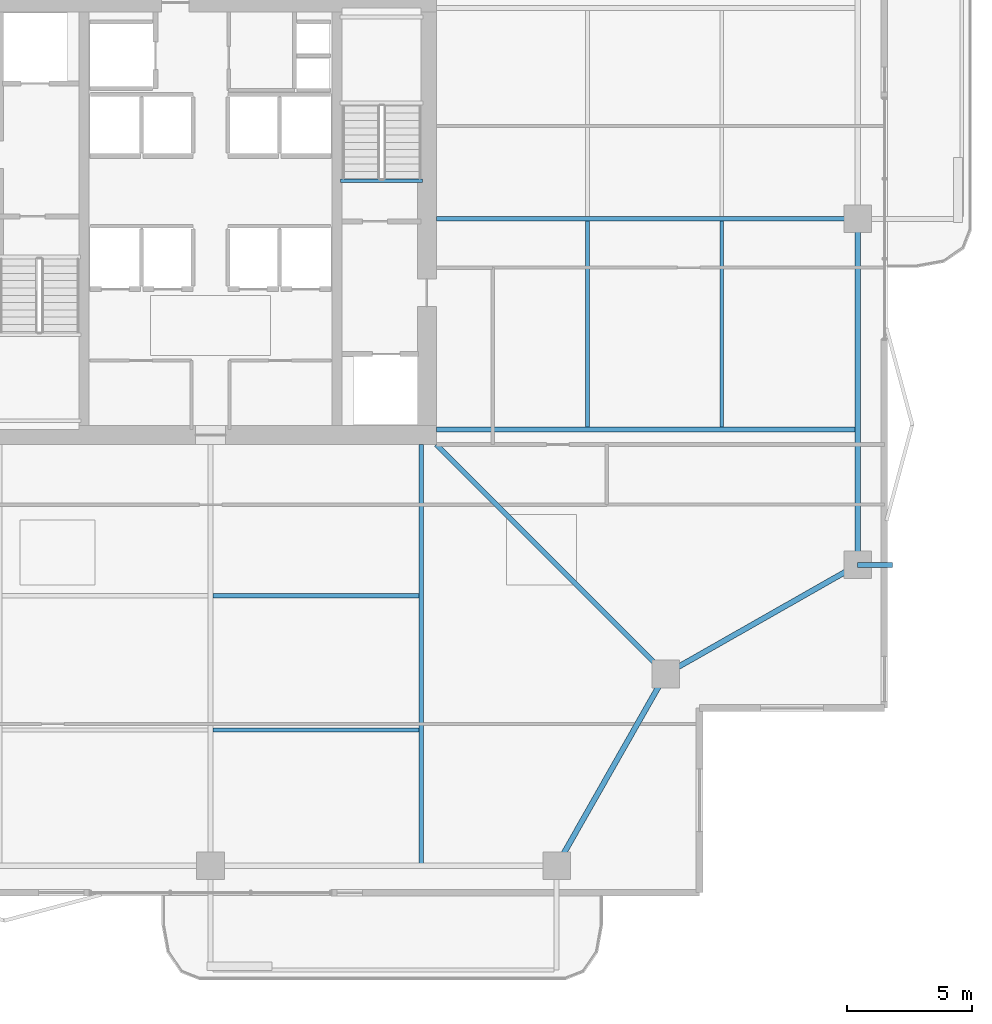
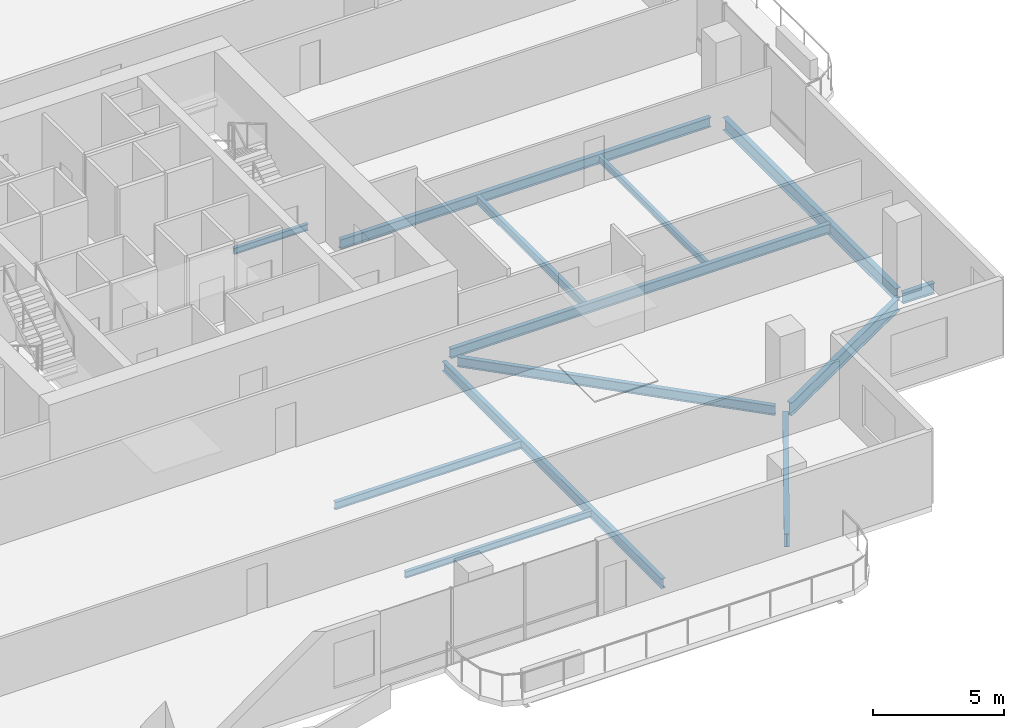
# One storey, part 7 of 24: 13 beams.
"""IFC4 building model written with IfcOpenShell, lengths in metres."""

from ifc_helpers import new_model, si_unit, direction, frame, origin, origin_2d, place, context, subcontext, project, spatial, i_section, extrude, material, material_profile, profile_set, type_object, element, save


model = new_model("IFC4")

# Units and contexts
model_context = context("Model", 3, precision=1e-05, world=origin(), true_north=direction((0.0, 1.0)))
body_context = subcontext(model_context, "Body", "Model", "MODEL_VIEW")
ifc_project = project(units=[si_unit("LENGTHUNIT", "METRE"), si_unit("AREAUNIT", "SQUARE_METRE"), si_unit("VOLUMEUNIT", "CUBIC_METRE"), si_unit("PLANEANGLEUNIT", "RADIAN"), si_unit("MASSUNIT", "GRAM", prefix="KILO")], contexts=[model_context])

# Site, building, storey
site_placement = place(None, origin())
site = spatial("IfcSite", under=ifc_project, at=site_placement, CompositionType="ELEMENT")
building_placement = place(site_placement, origin())
building = spatial("IfcBuilding", under=site, at=building_placement, Name="Belovzor Exchange Tower", CompositionType="ELEMENT")
storey_placement = place(building_placement, frame((0.0, 0.0, 237.449951171875)))
storey = spatial("IfcBuildingStorey", under=building, at=storey_placement, Name="L59", CompositionType="ELEMENT", Elevation=237.449951171875)

# Beams
ifc_material_1 = material(Name="Steel S355", Category="steel")
ifc_material_profile_1 = material_profile(ifc_material_1, i_section(OverallWidth=0.199951171875, OverallDepth=0.5, WebThickness=0.01025390625, FlangeThickness=0.01611328125, at=origin_2d()))
ifc_profile_set_1 = profile_set([ifc_material_profile_1], Name="Steel S355")
beam_type_1 = type_object("IfcBeamType", Name="Planted Balcony Cantilever Beam IPE 500", PredefinedType="BEAM", material=ifc_profile_set_1)
beam_1_placement = place(storey_placement, frame((54.60009765625, 15.0, -0.5), z_axis=(1.0, 0.0, 0.0), x_axis=(0.0, 1.0, 0.0)))
element("IfcBeam", 1, at=beam_1_placement, inside=storey, type_object=beam_type_1, Name="BC-500 Planted Balcony Cantilever Beam IPE 500", PredefinedType="BEAM", context=body_context, shape_type="SweptSolid", body=[
    extrude(i_section(OverallWidth=0.199951171875, OverallDepth=0.5, WebThickness=0.01025390625, FlangeThickness=0.01611328125, at=origin_2d()), origin(), (0.0, 0.0, 1.0), 1.39990234375),
])
ifc_material_2 = material(Name="Steel S355", Category="steel")
ifc_material_profile_2 = material_profile(ifc_material_2, i_section(OverallWidth=0.169921875, OverallDepth=0.360107421875, WebThickness=0.008056640625, FlangeThickness=0.0126953125, at=origin_2d()))
ifc_profile_set_2 = profile_set([ifc_material_profile_2], Name="Steel S355")
beam_type_2 = type_object("IfcBeamType", Name="Secondary Infill Floor Joist IPE 360", PredefinedType="BEAM", material=ifc_profile_set_2)
for number, where, z_axis, x_axis, name in (
    (2, (28.89501953125, 13.77197265625, -0.429931640625), (1.0, 0.0, 0.0), (0.0, 1.0, 0.0), "FJ-360 Secondary Infill Floor Joist IPE 360"),
    (3, (43.827880859375, 20.4951171875, -0.429931640625), (0.0, 1.0, 0.0), (-1.0, 0.0, 0.0), "FJ-360 Secondary Infill Floor Joist IPE 360"),
):
    element("IfcBeam", number, at=place(storey_placement, frame(where, z_axis=z_axis, x_axis=x_axis)), inside=storey, type_object=beam_type_2, Name=name, PredefinedType="BEAM", context=body_context, shape_type="SweptSolid", body=[
        extrude(i_section(OverallWidth=0.169921875, OverallDepth=0.360107421875, WebThickness=0.008056640625, FlangeThickness=0.0126953125, at=origin_2d()), origin(), (0.0, 0.0, 1.0), 8.2099609375),
    ])
ifc_material_3 = material(Name="Steel S355", Category="steel")
ifc_material_profile_3 = material_profile(ifc_material_3, i_section(OverallWidth=0.14990234375, OverallDepth=0.300048828125, WebThickness=0.007080078125, FlangeThickness=0.0107421875, at=origin_2d()))
ifc_profile_set_3 = profile_set([ifc_material_profile_3], Name="Steel S355")
beam_type_3 = type_object("IfcBeamType", Name="Secondary Trim Floor Joist IPE 300", PredefinedType="BEAM", material=ifc_profile_set_3)
beam_2_placement = place(storey_placement, frame((37.260009765625, 30.320068359375, -0.39990234375), z_axis=(-1.0, 0.0, 0.0), x_axis=(0.0, -1.0, 0.0)))
element("IfcBeam", 4, at=beam_2_placement, inside=storey, type_object=beam_type_3, Name="FJ-300 Secondary Trim Floor Joist IPE 300", PredefinedType="BEAM", context=body_context, shape_type="SweptSolid", body=[
    extrude(i_section(OverallWidth=0.14990234375, OverallDepth=0.300048828125, WebThickness=0.007080078125, FlangeThickness=0.0107421875, at=origin_2d()), origin(), (0.0, 0.0, 1.0), 3.27001953125),
])
for number, where, z_axis, x_axis, name in (
    (5, (28.89501953125, 8.4130859375, -0.39990234375), (1.0, 0.0, 0.0), (0.0, 1.0, 0.0), "FJ-300 Secondary Trim Floor Joist IPE 300"),
    (6, (49.18701171875, 20.4951171875, -0.39990234375), (0.0, 1.0, 0.0), (-1.0, 0.0, 0.0), "FJ-300 Secondary Trim Floor Joist IPE 300"),
):
    element("IfcBeam", number, at=place(storey_placement, frame(where, z_axis=z_axis, x_axis=x_axis)), inside=storey, type_object=beam_type_3, Name=name, PredefinedType="BEAM", context=body_context, shape_type="SweptSolid", body=[
        extrude(i_section(OverallWidth=0.14990234375, OverallDepth=0.300048828125, WebThickness=0.007080078125, FlangeThickness=0.0107421875, at=origin_2d()), origin(), (0.0, 0.0, 1.0), 8.2099609375),
    ])
ifc_material_4 = material(Name="Steel S355", Category="steel")
ifc_material_profile_4 = material_profile(ifc_material_4, i_section(OverallWidth=0.18994140625, OverallDepth=0.449951171875, WebThickness=0.009521484375, FlangeThickness=0.0146484375, at=origin_2d()))
ifc_profile_set_4 = profile_set([ifc_material_profile_4], Name="Steel S355")
beam_type_4 = type_object("IfcBeamType", Name="Zone 2-4 Radial Composite Floor Beam IPE 450", PredefinedType="BEAM", material=ifc_profile_set_4)
beam_3_placement = place(storey_placement, frame((37.199951171875, 19.800048828125, -0.474853515625), z_axis=(0.0, -1.0, 0.0), x_axis=(1.0, 0.0, 0.0)))
element("IfcBeam", 7, at=beam_3_placement, inside=storey, type_object=beam_type_4, Name="FB-450 Zone 2-4 Radial Composite Floor Beam IPE 450", PredefinedType="BEAM", context=body_context, shape_type="SweptSolid", body=[
    extrude(i_section(OverallWidth=0.18994140625, OverallDepth=0.449951171875, WebThickness=0.009521484375, FlangeThickness=0.0146484375, at=origin_2d()), origin(), (0.0, 0.0, 1.0), 16.7451171875),
])
beam_4_placement = place(storey_placement, frame((37.800048828125, 20.39990234375, -0.474853515625), z_axis=(1.0, 0.0, 0.0), x_axis=(0.0, 1.0, 0.0)))
element("IfcBeam", 8, at=beam_4_placement, inside=storey, type_object=beam_type_4, Name="FB-450 Zone 2-4 Radial Composite Floor Beam IPE 450", PredefinedType="BEAM", context=body_context, shape_type="SweptSolid", body=[
    extrude(i_section(OverallWidth=0.18994140625, OverallDepth=0.449951171875, WebThickness=0.009521484375, FlangeThickness=0.0146484375, at=origin_2d()), origin(), (0.0, 0.0, 1.0), 16.744873046875),
])
beam_5_placement = place(storey_placement, frame((37.800048828125, 28.800048828125, -0.474853515625), z_axis=(1.0, 0.0, 0.0), x_axis=(0.0, 1.0, 0.0)))
element("IfcBeam", 9, at=beam_5_placement, inside=storey, type_object=beam_type_4, Name="FB-450 Zone 2-4 Radial Composite Floor Beam IPE 450", PredefinedType="BEAM", context=body_context, shape_type="SweptSolid", body=[
    extrude(i_section(OverallWidth=0.18994140625, OverallDepth=0.449951171875, WebThickness=0.009521484375, FlangeThickness=0.0146484375, at=origin_2d()), origin(), (0.0, 0.0, 1.0), 16.31591796875),
])
beam_6_placement = place(storey_placement, frame((37.800048828125, 19.800048828125, -0.474853515625), z_axis=(0.707106781187, -0.707106781187, 0.0), x_axis=(0.707106781187, 0.707106781187, 0.0)))
element("IfcBeam", 10, at=beam_6_placement, inside=storey, type_object=beam_type_4, Name="FB-450 Zone 2-4 Radial Composite Floor Beam IPE 450", PredefinedType="BEAM", context=body_context, shape_type="SweptSolid", body=[
    extrude(i_section(OverallWidth=0.18994140625, OverallDepth=0.449951171875, WebThickness=0.009521484375, FlangeThickness=0.0146484375, at=origin_2d()), origin(), (0.0, 0.0, 1.0), 12.551025390625),
])
ifc_material_5 = material(Name="Steel S355", Category="steel")
ifc_material_profile_5 = material_profile(ifc_material_5, i_section(OverallWidth=0.219970703125, OverallDepth=0.60009765625, WebThickness=0.011962890625, FlangeThickness=0.01904296875, at=origin_2d()))
ifc_profile_set_5 = profile_set([ifc_material_profile_5], Name="Steel S355")
beam_type_5 = type_object("IfcBeamType", Name="Zone 4 Flare Primary Girder IPE 600", PredefinedType="BEAM", material=ifc_profile_set_5)
for number, where, z_axis, x_axis, name in (
    (11, (42.75, 3.262939453125, -0.550048828125), (0.494222323641, 0.869335547884, 0.0), (-0.869335547884, 0.494222323641, 0.0), "FG-Z4 Zone 4 Flare Primary Girder IPE 600"),
    (12, (47.212890625, 10.800048828125, -0.550048828125), (0.869335547884, 0.494222323641, 0.0), (-0.494222323641, 0.869335547884, 0.0), "FG-Z4 Zone 4 Flare Primary Girder IPE 600"),
):
    element("IfcBeam", number, at=place(storey_placement, frame(where, z_axis=z_axis, x_axis=x_axis)), inside=storey, type_object=beam_type_5, Name=name, PredefinedType="BEAM", context=body_context, shape_type="SweptSolid", body=[
        extrude(i_section(OverallWidth=0.219970703125, OverallDepth=0.60009765625, WebThickness=0.011962890625, FlangeThickness=0.01904296875, at=origin_2d()), origin(), (0.0, 0.0, 1.0), 8.19482421875),
    ])
beam_7_placement = place(storey_placement, frame((54.60009765625, 15.302978515625, -0.550048828125), z_axis=(0.0, 1.0, 0.0), x_axis=(-1.0, 0.0, 0.0)))
element("IfcBeam", 13, at=beam_7_placement, inside=storey, type_object=beam_type_5, Name="FG-Z4 Zone 4 Flare Primary Girder IPE 600", PredefinedType="BEAM", context=body_context, shape_type="SweptSolid", body=[
    extrude(i_section(OverallWidth=0.219970703125, OverallDepth=0.60009765625, WebThickness=0.011962890625, FlangeThickness=0.01904296875, at=origin_2d()), origin(), (0.0, 0.0, 1.0), 13.195068359375),
])

save(model, "model.ifc")
